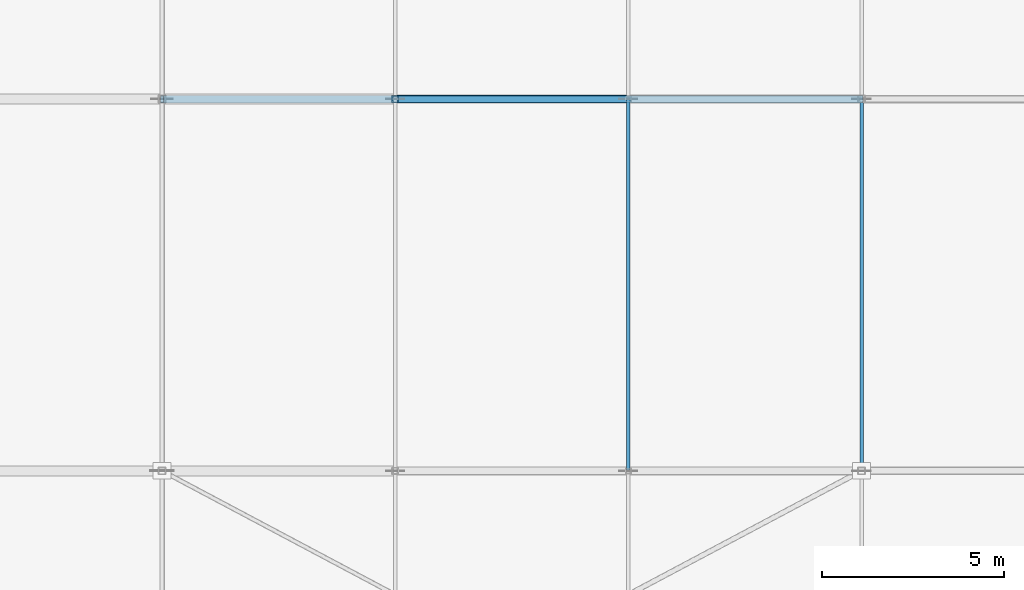
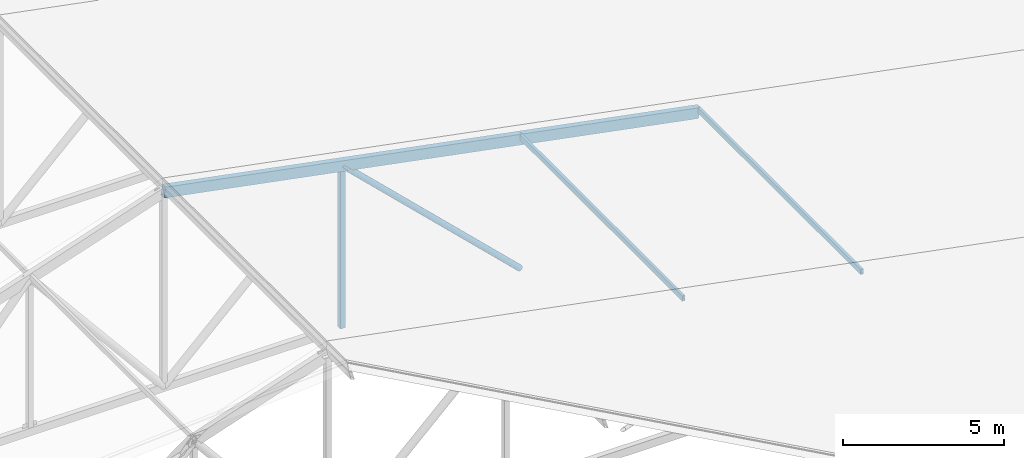
# One storey, part 45 of 200: 5 members.
"""IFC4 building model written with IfcOpenShell, lengths in metres."""

import ifcopenshell
import ifcopenshell.guid

model = None  # the IFC model being written
_history = None  # IfcOwnerHistory: only IFC2X3 demands one
_inside = {}  # id of a spatial element -> (the spatial element, [elements in it])
_under = {}  # id of a project, library or spatial element -> (it, [spatial elements below it])
_declared = {}  # id of a project -> (the project, [libraries it declares])
_typed = {}  # id of a type object -> (the type object, [elements of that type])
_made_of = {}  # id of a material, layer set ... -> (it, [elements and type objects made of it])


def new_model(schema):
    """Start an empty IFC model of exactly this schema.

    Asked for "IFC4X3", IfcOpenShell would pick the latest addendum, in which some entities
    have other attributes; the version numbers below select the first issue.
    IFC2X3 requires an IfcOwnerHistory on every rooted entity: one is made here for all.
    """
    global model, _history
    if schema == "IFC4X3":
        model = ifcopenshell.file(schema_version=(4, 3, 0, 0))
    else:
        model = ifcopenshell.file(schema=schema)
    _inside.clear()
    _under.clear()
    _declared.clear()
    _typed.clear()
    _made_of.clear()
    _history = None
    if model.schema == "IFC2X3":
        org = make("IfcOrganization", Name="unknown")
        user = make(
            "IfcPersonAndOrganization",
            ThePerson=make("IfcPerson", FamilyName="unknown"),
            TheOrganization=org,
        )
        app = make(
            "IfcApplication",
            ApplicationDeveloper=org,
            Version="unknown",
            ApplicationFullName="unknown",
            ApplicationIdentifier="unknown",
        )
        _history = make(
            "IfcOwnerHistory",
            OwningUser=user,
            OwningApplication=app,
            ChangeAction="ADDED",
            CreationDate=0,
        )
    return model


def make(cls, **values):
    """One entity of the class cls with the attributes given. An attribute that is None is left unset."""
    return model.create_entity(
        cls, **{name: value for name, value in values.items() if value is not None}
    )


def rooted(cls, **values):
    """An entity with a GlobalId (a new one), such as an element, a storey or a relation."""
    return make(cls, GlobalId=ifcopenshell.guid.new(), OwnerHistory=_history, **values)


def si_unit(unit_type, name, prefix=None):
    """IfcSIUnit, for example si_unit("LENGTHUNIT", "METRE", prefix="MILLI")."""
    return make("IfcSIUnit", UnitType=unit_type, Prefix=prefix, Name=name)


def assignment(units):
    """IfcUnitAssignment: the units of a project."""
    return None if units is None else make("IfcUnitAssignment", Units=units)


def point(xyz):
    """IfcCartesianPoint."""
    return None if xyz is None else make("IfcCartesianPoint", Coordinates=xyz)


def direction(xyz):
    """IfcDirection."""
    return None if xyz is None else make("IfcDirection", DirectionRatios=xyz)


def frame(location, z_axis=None, x_axis=None):
    """IfcAxis2Placement3D, a coordinate frame: its origin and axes. An axis left out is left unset."""
    return make(
        "IfcAxis2Placement3D",
        Location=point(location),
        Axis=direction(z_axis),
        RefDirection=direction(x_axis),
    )


def frame_2d(location, x_axis=None):
    """IfcAxis2Placement2D, a coordinate frame in the plane: its origin and x axis."""
    return make(
        "IfcAxis2Placement2D", Location=point(location), RefDirection=direction(x_axis)
    )


def origin():
    """The frame at (0, 0, 0) with its axes left unset."""
    return frame((0.0, 0.0, 0.0))


def origin_2d():
    """The frame at (0, 0) in the plane with its x axis left unset."""
    return frame_2d((0.0, 0.0))


def place(relative_to, where):
    """IfcLocalPlacement: puts the frame where relative to a parent placement (None: the world)."""
    return make(
        "IfcLocalPlacement", PlacementRelTo=relative_to, RelativePlacement=where
    )


def context(
    kind, dimensions, precision=None, world=None, true_north=None, identifier=None
):
    """IfcGeometricRepresentationContext, for example the 3D "Model" context."""
    return make(
        "IfcGeometricRepresentationContext",
        ContextIdentifier=identifier,
        ContextType=kind,
        CoordinateSpaceDimension=dimensions,
        Precision=precision,
        WorldCoordinateSystem=world,
        TrueNorth=true_north,
    )


def subcontext(parent, identifier, kind, view, scale=None):
    """IfcGeometricRepresentationSubContext, for example "Body" below "Model"."""
    return make(
        "IfcGeometricRepresentationSubContext",
        ContextIdentifier=identifier,
        ContextType=kind,
        ParentContext=parent,
        TargetScale=scale,
        TargetView=view,
    )


def project(units=None, contexts=None):
    """IfcProject with its units and contexts."""
    return rooted(
        "IfcProject",
        Name="project",
        RepresentationContexts=contexts,
        UnitsInContext=assignment(units),
    )


def spatial(cls, under=None, at=None, **own):
    """A site, building, storey or space (cls), placed at a placement, below another one or the project."""
    s = rooted(cls, ObjectPlacement=at, **own)
    if under is not None:
        _under.setdefault(under.id(), (under, []))[1].append(s)
    return s


def profile(cls, at=None, kind="AREA", **sizes):
    """A parametric profile (cls). Its sizes go by their IFC names, for example OverallWidth=200.0."""
    return make(cls, ProfileType=kind, Position=at, **sizes)


def hollow_rectangle(**sizes):
    """IfcRectangleHollowProfileDef."""
    return profile("IfcRectangleHollowProfileDef", **sizes)


def hollow_circle(**sizes):
    """IfcCircleHollowProfileDef."""
    return profile("IfcCircleHollowProfileDef", **sizes)


def extrude(swept, where, along, depth):
    """IfcExtrudedAreaSolid: the profile swept, set in the frame where, extruded along a direction by depth."""
    return make(
        "IfcExtrudedAreaSolid",
        SweptArea=swept,
        Position=where,
        ExtrudedDirection=direction(along),
        Depth=depth,
    )


def shape(context_of_items, identifier, shape_type, items):
    """IfcShapeRepresentation: the items that make up one representation, for example the "Body"."""
    return make(
        "IfcShapeRepresentation",
        ContextOfItems=context_of_items,
        RepresentationIdentifier=identifier,
        RepresentationType=shape_type,
        Items=items,
    )


def material(Name=None, Category=None):
    """IfcMaterial."""
    return make("IfcMaterial", Name=Name, Category=Category)


def material_profile(
    of_material, cross_section, Name=None, Category=None, Priority=None
):
    """IfcMaterialProfile: a cross section and its material."""
    return make(
        "IfcMaterialProfile",
        Name=Name,
        Material=of_material,
        Profile=cross_section,
        Priority=Priority,
        Category=Category,
    )


def profile_set(profiles, Name=None, composite=None):
    """IfcMaterialProfileSet."""
    return make(
        "IfcMaterialProfileSet",
        Name=Name,
        MaterialProfiles=profiles,
        CompositeProfile=composite,
    )


def made_of(thing, what):
    """Note that an element or type object is made of a material, layer set ...; save() writes the relation."""
    if what is not None:
        _made_of.setdefault(what.id(), (what, []))[1].append(thing)
    return thing


def type_object(cls, material=None, **own):
    """A type object (cls), such as IfcWallType, which elements share."""
    return made_of(rooted(cls, **own), material)


def element(
    cls,
    number,
    at=None,
    inside=None,
    cuts=None,
    type_object=None,
    material=None,
    context=None,
    identifier="Body",
    shape_type=None,
    held_by="IfcProductDefinitionShape",
    body=None,
    shapes=None,
    **own,
):
    """One element of the class cls, such as IfcWall. Its Tag is "e" and its number.

    at: its placement. inside: the storey or other place that contains it. cuts: it is an
    opening in that element (IfcRelVoidsElement). A single representation is given by context,
    identifier, shape_type and body (its items); several are given by shapes. held_by: the class
    of the entity that holds the representations. save() writes the other relations.
    """
    e = rooted(cls, Tag="e%d" % number, ObjectPlacement=at, **own)
    if body is not None:
        shapes = [shape(context, identifier, shape_type, body)]
    if shapes is not None:
        e.Representation = make(held_by, Representations=shapes)
    if inside is not None:
        _inside.setdefault(inside.id(), (inside, []))[1].append(e)
    if cuts is not None:
        rooted(
            "IfcRelVoidsElement", RelatingBuildingElement=cuts, RelatedOpeningElement=e
        )
    if type_object is not None:
        _typed.setdefault(type_object.id(), (type_object, []))[1].append(e)
    return made_of(e, material)


def aggregate(whole, parts):
    """IfcRelAggregates: a whole, such as a stair, and the parts it consists of."""
    return rooted("IfcRelAggregates", RelatingObject=whole, RelatedObjects=parts)


def save(model, path):
    """Write the relations noted so far, then the file.

    IfcRelAggregates (storeys below a building ...), IfcRelContainedInSpatialStructure (elements
    in a storey), IfcRelDefinesByType, IfcRelAssociatesMaterial and IfcRelDeclares: one each for
    every whole, place, type object, material and project.
    """
    for whole, parts in _under.values():
        aggregate(whole, parts)
    for where, things in _inside.values():
        rooted(
            "IfcRelContainedInSpatialStructure",
            RelatedElements=things,
            RelatingStructure=where,
        )
    for kind, things in _typed.values():
        rooted("IfcRelDefinesByType", RelatedObjects=things, RelatingType=kind)
    for what, things in _made_of.values():
        rooted("IfcRelAssociatesMaterial", RelatedObjects=things, RelatingMaterial=what)
    for by, libraries in _declared.values():
        rooted("IfcRelDeclares", RelatingContext=by, RelatedDefinitions=libraries)
    model.write(path)


model = new_model("IFC4")

# Units and contexts
model_context = context("Model", 3, precision=1e-05, world=origin(), true_north=direction((0.0, 1.0)))
body_context = subcontext(model_context, "Body", "Model", "MODEL_VIEW")
ifc_project = project(units=[si_unit("LENGTHUNIT", "METRE"), si_unit("AREAUNIT", "SQUARE_METRE"), si_unit("VOLUMEUNIT", "CUBIC_METRE"), si_unit("PLANEANGLEUNIT", "RADIAN"), si_unit("MASSUNIT", "GRAM", prefix="KILO")], contexts=[model_context])

# Site, building, storey
site_placement = place(None, origin())
site = spatial("IfcSite", under=ifc_project, at=site_placement, CompositionType="ELEMENT")
building_placement = place(site_placement, origin())
building = spatial("IfcBuilding", under=site, at=building_placement, Name="Vondelvale Polytechnic", CompositionType="ELEMENT")
storey_placement = place(building_placement, frame((0.0, 0.0, 13.800048828125)))
storey = spatial("IfcBuildingStorey", under=building, at=storey_placement, Name="L03", CompositionType="ELEMENT", Elevation=13.800048828125)

# Members
ifc_material = material(Name="Steel C350L0 (fy = 350 MPa)", Category="steel")
ifc_material_profile_1 = material_profile(ifc_material, hollow_rectangle(XDim=0.10009765625, YDim=0.199951171875, WallThickness=0.006103515625, at=origin_2d()), Name="200x100x6.0RHS")
ifc_profile_set_1 = profile_set([ifc_material_profile_1], Name="Steel C350L0 (fy = 350 MPa)")
member_type_1 = type_object("IfcMemberType", Name="PURLIN RHS200", PredefinedType="PURLIN", material=ifc_profile_set_1)
for number, where, z_axis, x_axis, name in (
    (1, (22.39990234375, 61.199951171875, 4.614501953125), (0.0, 1.0, 0.0), (-1.0, 0.0, 0.0), "Workshop roof purlin bay 2"),
    (2, (28.800048828125, 61.199951171875, 3.38134765625), (0.0, 1.0, 0.0), (-1.0, 0.0, 0.0), "Workshop roof purlin bay 2"),
):
    element("IfcMember", number, at=place(storey_placement, frame(where, z_axis=z_axis, x_axis=x_axis)), inside=storey, type_object=member_type_1, Name=name, PredefinedType="PURLIN", context=body_context, shape_type="SweptSolid", body=[
        extrude(hollow_rectangle(XDim=0.10009765625, YDim=0.199951171875, WallThickness=0.006103515625, at=origin_2d()), origin(), (0.0, 0.0, 1.0), 10.199951171875),
    ])
ifc_material_profile_2 = material_profile(ifc_material, hollow_circle(Radius=0.109619140625, WallThickness=0.00830078125, at=origin_2d()), Name="219.1x8.2CHS")
ifc_profile_set_2 = profile_set([ifc_material_profile_2], Name="Steel C350L0 (fy = 350 MPa)")
member_type_2 = type_object("IfcMemberType", Name="ROOF TRUSS BRACE 219CHS", PredefinedType="BRACE", material=ifc_profile_set_2)
member_1_placement = place(storey_placement, frame((16.0, 71.39990234375, 5.74658203125), z_axis=(0.720102098263, 0.0, -0.69386812009), x_axis=(0.0, 1.0, 0.0)))
element("IfcMember", 3, at=member_1_placement, inside=storey, type_object=member_type_2, Name="ROOF TRUSS TR-03 web diagonal 4", PredefinedType="BRACE", context=body_context, shape_type="SweptSolid", body=[
    extrude(hollow_circle(Radius=0.109619140625, WallThickness=0.00830078125, at=origin_2d()), origin(), (0.0, 0.0, 1.0), 8.887451171875),
])
ifc_material_profile_3 = material_profile(ifc_material, hollow_rectangle(XDim=0.175048828125, YDim=0.175048828125, WallThickness=0.006103515625, at=origin_2d()), Name="175x175x6.0SHS")
ifc_profile_set_3 = profile_set([ifc_material_profile_3], Name="Steel C350L0 (fy = 350 MPa)")
member_type_3 = type_object("IfcMemberType", Name="ROOF TRUSS POST 175SHS", PredefinedType="POST", material=ifc_profile_set_3)
member_2_placement = place(storey_placement, frame((16.0, 71.39990234375, -0.420166015625), z_axis=(0.0, 0.0, 1.0), x_axis=(1.0, 0.0, 0.0)))
element("IfcMember", 4, at=member_2_placement, inside=storey, type_object=member_type_3, Name="ROOF TRUSS TR-03 vertical post 3", PredefinedType="POST", context=body_context, shape_type="SweptSolid", body=[
    extrude(hollow_rectangle(XDim=0.175048828125, YDim=0.175048828125, WallThickness=0.006103515625, at=origin_2d()), origin(), (0.0, 0.0, 1.0), 6.166748046875),
])
ifc_material_profile_4 = material_profile(ifc_material, hollow_rectangle(XDim=0.199951171875, YDim=0.39990234375, WallThickness=0.010009765625, at=origin_2d()), Name="400x200x10.0RHS")
ifc_profile_set_4 = profile_set([ifc_material_profile_4], Name="Steel C350L0 (fy = 350 MPa)")
member_type_4 = type_object("IfcMemberType", Name="ROOF TRUSS TOP CHORD 400RHS", PredefinedType="CHORD", material=ifc_profile_set_4)
member_3_placement = place(storey_placement, frame((9.60009765625, 71.39990234375, 6.97998046875), z_axis=(0.981933791982, 0.0, -0.189224808533), x_axis=(0.0, 1.0, 0.0)))
element("IfcMember", 5, at=member_3_placement, inside=storey, type_object=member_type_4, Name="ROOF TRUSS TR-03 top chord 3", PredefinedType="CHORD", context=body_context, shape_type="SweptSolid", body=[
    extrude(hollow_rectangle(XDim=0.199951171875, YDim=0.39990234375, WallThickness=0.010009765625, at=origin_2d()), origin(), (0.0, 0.0, 1.0), 19.55322265625),
])

save(model, "model.ifc")
